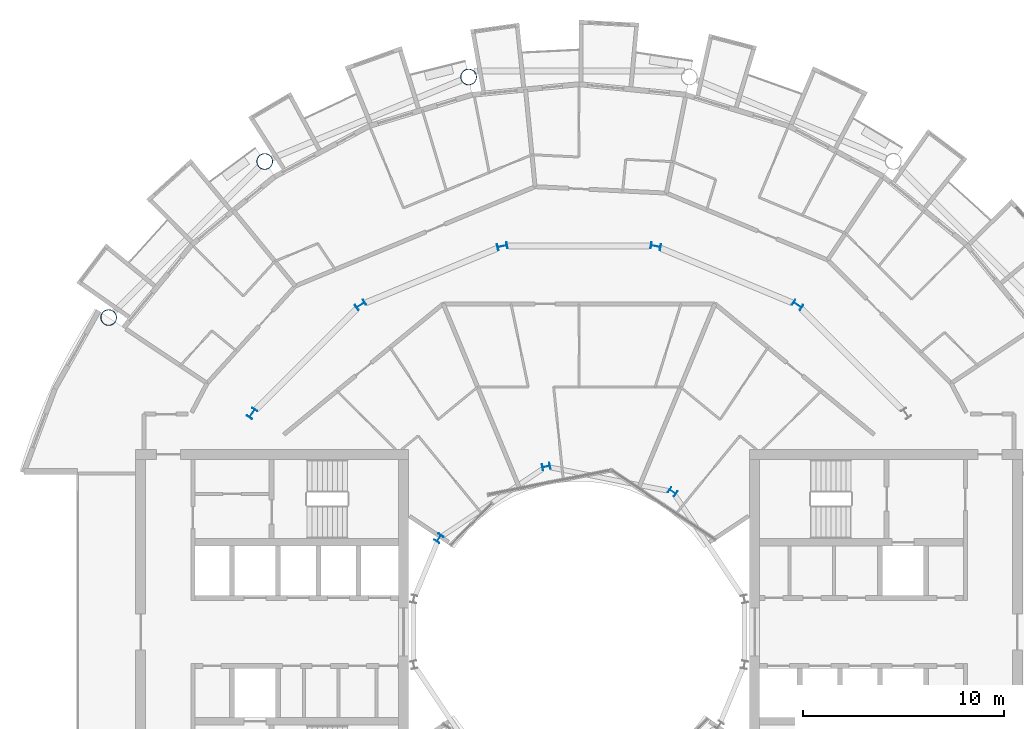
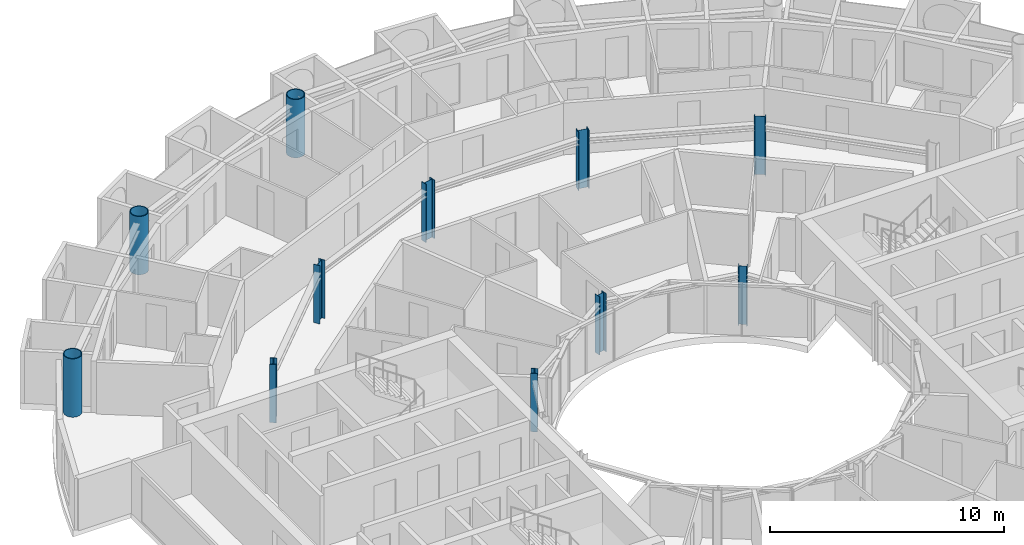
# One storey, part 3 of 28: 11 columns.
"""IFC4 building model written with IfcOpenShell, lengths in metres."""

from ifc_helpers import new_model, si_unit, direction, frame, origin, origin_2d, place, context, subcontext, project, spatial, hollow_circle, i_section, extrude, material, material_profile, profile_set, type_object, element, save


model = new_model("IFC4")

# Units and contexts
model_context = context("Model", 3, precision=1e-05, world=origin(), true_north=direction((0.0, 1.0)))
body_context = subcontext(model_context, "Body", "Model", "MODEL_VIEW")
ifc_project = project(units=[si_unit("LENGTHUNIT", "METRE"), si_unit("AREAUNIT", "SQUARE_METRE"), si_unit("VOLUMEUNIT", "CUBIC_METRE"), si_unit("PLANEANGLEUNIT", "RADIAN"), si_unit("MASSUNIT", "GRAM", prefix="KILO")], contexts=[model_context])

# Site, building, storey
site_placement = place(None, origin())
site = spatial("IfcSite", under=ifc_project, at=site_placement, CompositionType="ELEMENT")
building_placement = place(site_placement, origin())
building = spatial("IfcBuilding", under=site, at=building_placement, Name="Maasbend Ring Residences", CompositionType="ELEMENT")
storey_placement = place(building_placement, frame((0.0, 0.0, 173.800048828125)))
storey = spatial("IfcBuildingStorey", under=building, at=storey_placement, Name="L50", CompositionType="ELEMENT", Elevation=173.800048828125)

# Columns
ifc_material_1 = material(Name="Composite concrete-filled steel tube S460NH / C80/95", Category="concrete")
ifc_material_profile_1 = material_profile(ifc_material_1, hollow_circle(Radius=0.406494140625, WallThickness=0.0400390625, at=origin_2d()), Name="Composite tube column CHS 813x40")
ifc_profile_set_1 = profile_set([ifc_material_profile_1], Name="Composite concrete-filled steel tube S460NH / C80/95")
column_type_1 = type_object("IfcColumnType", Name="Composite tube column CHS 813x40", PredefinedType="COLUMN", material=ifc_profile_set_1)
for number, where, z_axis, x_axis, name in (
    (1, (-5.50146484375, 27.658203125, 0.0), (0.0, 0.0, 1.0), (1.0, 0.0, 0.0), "Outer column R5"),
    (2, (-15.6669921875, 23.447509765625, 0.0), (0.0, 0.0, 1.0), (1.0, 0.0, 0.0), "Outer column R6"),
    (3, (-23.447509765625, 15.6669921875, 0.0), (0.0, 0.0, 1.0), (1.0, 0.0, 0.0), "Outer column R7"),
):
    element("IfcColumn", number, at=place(storey_placement, frame(where, z_axis=z_axis, x_axis=x_axis)), inside=storey, type_object=column_type_1, Name=name, PredefinedType="COLUMN", context=body_context, shape_type="SweptSolid", body=[
        extrude(hollow_circle(Radius=0.406494140625, WallThickness=0.0400390625, at=origin_2d()), origin(), (0.0, 0.0, 1.0), 3.050048828125),
    ])
ifc_material_2 = material(Name="Steel S355J2", Category="steel")
ifc_material_profile_2 = material_profile(ifc_material_2, i_section(OverallWidth=0.300048828125, OverallDepth=0.389892578125, WebThickness=0.010986328125, FlangeThickness=0.01904296875, FilletRadius=0.027099609375, at=origin_2d()), Name="HEA 400")
ifc_profile_set_2 = profile_set([ifc_material_profile_2], Name="Steel S355J2")
column_type_2 = type_object("IfcColumnType", Name="Steel column HEA 400", PredefinedType="COLUMN", material=ifc_profile_set_2)
for number, where, z_axis, x_axis, name in (
    (4, (4.666748046875, 6.984375, 0.0), (0.0, 0.0, 1.0), (0.55557023302, 0.831469612303, 0.0), "Well ring column R3"),
    (5, (-1.638916015625, 8.238525390625, 0.0), (0.0, 0.0, 1.0), (-0.195090322016, 0.980785280403, 0.0), "Well ring column R5"),
    (6, (-6.984375, 4.666748046875, 0.0), (0.0, 0.0, 1.0), (-0.831469612303, 0.55557023302, 0.0), "Well ring column R7"),
):
    element("IfcColumn", number, at=place(storey_placement, frame(where, z_axis=z_axis, x_axis=x_axis)), inside=storey, type_object=column_type_2, Name=name, PredefinedType="COLUMN", context=body_context, shape_type="SweptSolid", body=[
        extrude(i_section(OverallWidth=0.300048828125, OverallDepth=0.389892578125, WebThickness=0.010986328125, FlangeThickness=0.01904296875, FilletRadius=0.027099609375, at=origin_2d()), origin(), (0.0, 0.0, 1.0), 3.050048828125),
    ])
ifc_material_3 = material(Name="Steel S355J2", Category="steel")
ifc_material_profile_3 = material_profile(ifc_material_3, i_section(OverallWidth=0.300048828125, OverallDepth=0.5, WebThickness=0.014404296875, FlangeThickness=0.028076171875, FilletRadius=0.027099609375, at=origin_2d()), Name="HEB 500")
ifc_profile_set_3 = profile_set([ifc_material_profile_3], Name="Steel S355J2")
column_type_3 = type_object("IfcColumnType", Name="Steel column HEB 500", PredefinedType="COLUMN", material=ifc_profile_set_3)
for number, where, z_axis, x_axis, name in (
    (7, (10.88916015625, 16.296875, 0.0), (0.0, 0.0, 1.0), (0.55557023302, 0.831469612303, 0.0), "Corridor ring column R3"),
    (8, (3.82373046875, 19.223388671875, 0.0), (0.0, 0.0, 1.0), (0.195090322016, 0.980785280403, 0.0), "Corridor ring column R4"),
    (9, (-3.82373046875, 19.223388671875, 0.0), (0.0, 0.0, 1.0), (-0.195090322016, 0.980785280403, 0.0), "Corridor ring column R5"),
    (10, (-10.88916015625, 16.296875, 0.0), (0.0, 0.0, 1.0), (-0.55557023302, 0.831469612303, 0.0), "Corridor ring column R6"),
    (11, (-16.296875, 10.88916015625, 0.0), (0.0, 0.0, 1.0), (-0.831469612303, 0.55557023302, 0.0), "Corridor ring column R7"),
):
    element("IfcColumn", number, at=place(storey_placement, frame(where, z_axis=z_axis, x_axis=x_axis)), inside=storey, type_object=column_type_3, Name=name, PredefinedType="COLUMN", context=body_context, shape_type="SweptSolid", body=[
        extrude(i_section(OverallWidth=0.300048828125, OverallDepth=0.5, WebThickness=0.014404296875, FlangeThickness=0.028076171875, FilletRadius=0.027099609375, at=origin_2d()), origin(), (0.0, 0.0, 1.0), 3.050048828125),
    ])

save(model, "model.ifc")
